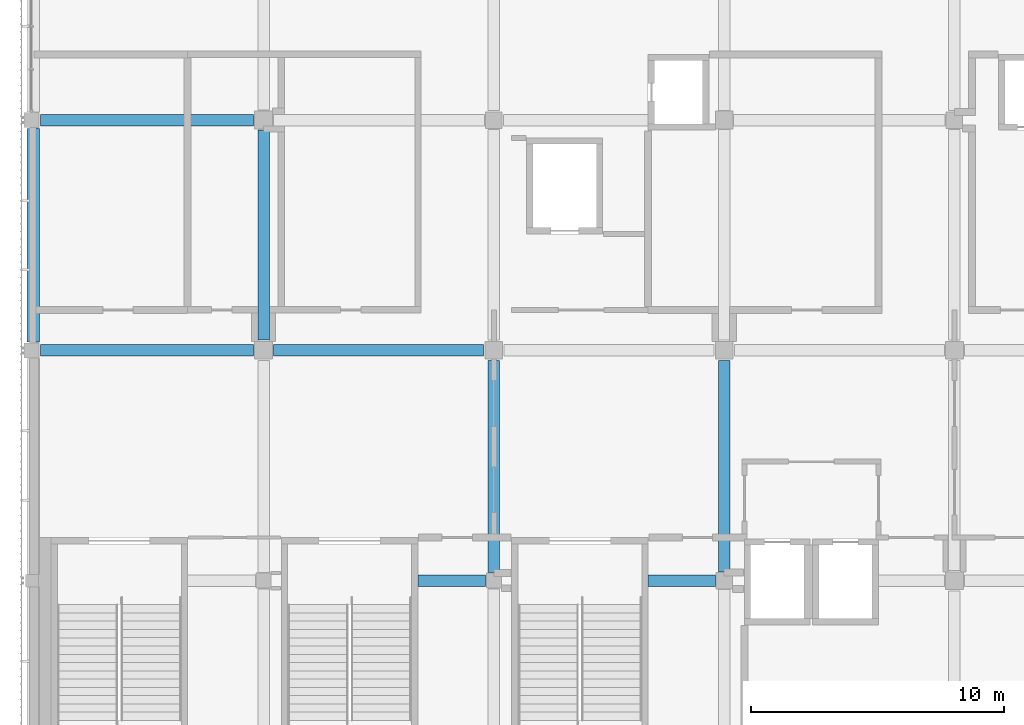
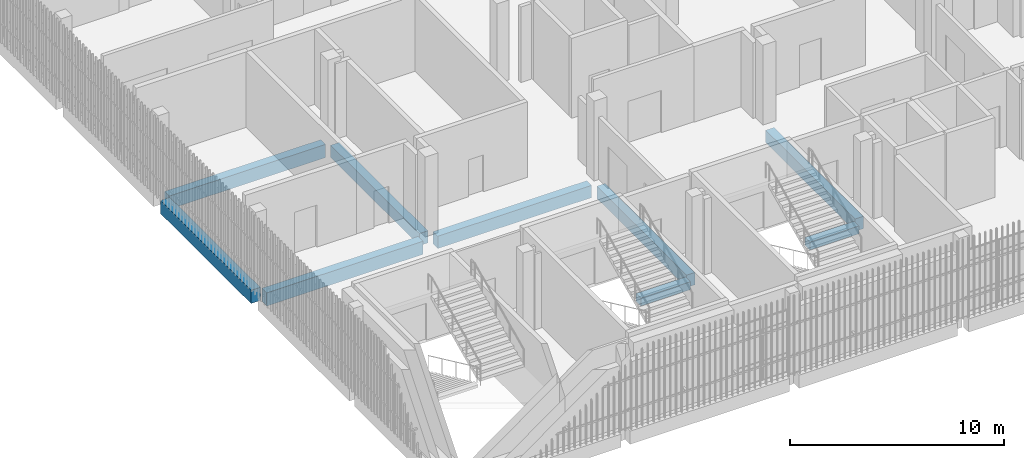
# One storey, part 6 of 139: 9 beams.
"""IFC4 building model written with IfcOpenShell, lengths in metres."""

from ifc_helpers import new_model, si_unit, direction, frame, origin, origin_2d, place, context, subcontext, project, spatial, rectangle, extrude, material, material_profile, profile_set, type_object, element, save


model = new_model("IFC4")

# Units and contexts
model_context = context("Model", 3, precision=1e-05, world=origin(), true_north=direction((0.0, 1.0)))
body_context = subcontext(model_context, "Body", "Model", "MODEL_VIEW")
ifc_project = project(units=[si_unit("LENGTHUNIT", "METRE"), si_unit("AREAUNIT", "SQUARE_METRE"), si_unit("VOLUMEUNIT", "CUBIC_METRE"), si_unit("PLANEANGLEUNIT", "RADIAN"), si_unit("MASSUNIT", "GRAM", prefix="KILO")], contexts=[model_context])

# Site, building, storey
site_placement = place(None, origin())
site = spatial("IfcSite", under=ifc_project, at=site_placement, CompositionType="ELEMENT")
building_placement = place(site_placement, origin())
building = spatial("IfcBuilding", under=site, at=building_placement, Name="Shirokan Park Arena", CompositionType="ELEMENT")
storey_placement = place(building_placement, frame((0.0, 0.0, 15.469970703125)))
storey = spatial("IfcBuildingStorey", under=building, at=storey_placement, Name="L03", CompositionType="ELEMENT", Elevation=15.469970703125)

# Beams
ifc_material = material(Name="Concrete C35", Category="concrete")
ifc_material_profile_1 = material_profile(ifc_material, rectangle(XDim=0.449951171875, YDim=0.699951171875, at=origin_2d()), Name="450x700")
ifc_profile_set_1 = profile_set([ifc_material_profile_1], Name="Concrete C35")
beam_type_1 = type_object("IfcBeamType", Name="RC girder 450x700", PredefinedType="BEAM", material=ifc_profile_set_1)
for number, where, z_axis, x_axis, name in (
    (1, (9.5, 18.199951171875, -0.64990234375), (1.0, 0.0, 0.0), (0.0, 1.0, 0.0), "Girder 2C-3C L03"),
    (2, (9.10009765625, 18.60009765625, -0.64990234375), (0.0, 1.0, 0.0), (-1.0, 0.0, 0.0), "Girder 2C-2D L03"),
):
    element("IfcBeam", number, at=place(storey_placement, frame(where, z_axis=z_axis, x_axis=x_axis)), inside=storey, type_object=beam_type_1, Name=name, PredefinedType="BEAM", context=body_context, shape_type="SweptSolid", body=[
        extrude(rectangle(XDim=0.449951171875, YDim=0.699951171875, at=origin_2d()), origin(), (0.0, 0.0, 1.0), 8.2998046875),
    ])
beam_1_placement = place(storey_placement, frame((18.199951171875, 9.425048828125, -0.64990234375), z_axis=(0.0, 1.0, 0.0), x_axis=(-1.0, 0.0, 0.0)))
element("IfcBeam", 3, at=beam_1_placement, inside=storey, type_object=beam_type_1, Name="Girder 3B-3C L03", PredefinedType="BEAM", context=body_context, shape_type="SweptSolid", body=[
    extrude(rectangle(XDim=0.449951171875, YDim=0.699951171875, at=origin_2d()), origin(), (0.0, 0.0, 1.0), 8.374755859375),
])
beam_2_placement = place(storey_placement, frame((27.300048828125, 9.4501953125, -0.64990234375), z_axis=(0.0, 1.0, 0.0), x_axis=(-1.0, 0.0, 0.0)))
element("IfcBeam", 4, at=beam_2_placement, inside=storey, type_object=beam_type_1, Name="Girder 4B-4C L03", PredefinedType="BEAM", context=body_context, shape_type="SweptSolid", body=[
    extrude(rectangle(XDim=0.449951171875, YDim=0.699951171875, at=origin_2d()), origin(), (0.0, 0.0, 1.0), 8.349609375),
])
ifc_material_profile_2 = material_profile(ifc_material, rectangle(XDim=0.449951171875, YDim=0.75, at=origin_2d()), Name="450x750")
ifc_profile_set_2 = profile_set([ifc_material_profile_2], Name="Concrete C35")
beam_type_2 = type_object("IfcBeamType", Name="RC girder 450x750", PredefinedType="BEAM", material=ifc_profile_set_2)
for number, where, z_axis, x_axis, name in (
    (5, (0.275146484375, 18.199951171875, -0.675048828125), (1.0, 0.0, 0.0), (0.0, 1.0, 0.0), "Girder 1C-2C L03"),
    (6, (0.275146484375, 27.300048828125, -0.675048828125), (1.0, 0.0, 0.0), (0.0, 1.0, 0.0), "Girder 1D-2D L03"),
):
    element("IfcBeam", number, at=place(storey_placement, frame(where, z_axis=z_axis, x_axis=x_axis)), inside=storey, type_object=beam_type_2, Name=name, PredefinedType="BEAM", context=body_context, shape_type="SweptSolid", body=[
        extrude(rectangle(XDim=0.449951171875, YDim=0.75, at=origin_2d()), origin(), (0.0, 0.0, 1.0), 8.4248046875),
    ])
ifc_material_profile_3 = material_profile(ifc_material, rectangle(XDim=0.5, YDim=0.75, at=origin_2d()), Name="500x750")
ifc_profile_set_3 = profile_set([ifc_material_profile_3], Name="Concrete C35")
beam_type_3 = type_object("IfcBeamType", Name="RC girder 500x750", PredefinedType="BEAM", material=ifc_profile_set_3)
beam_3_placement = place(storey_placement, frame((0.0, 18.525146484375, -0.675048828125), z_axis=(0.0, 1.0, 0.0), x_axis=(-1.0, 0.0, 0.0)))
element("IfcBeam", 7, at=beam_3_placement, inside=storey, type_object=beam_type_3, Name="Girder 1C-1D L03", PredefinedType="BEAM", context=body_context, shape_type="SweptSolid", body=[
    extrude(rectangle(XDim=0.5, YDim=0.75, at=origin_2d()), origin(), (0.0, 0.0, 1.0), 8.44970703125),
])
ifc_material_profile_4 = material_profile(ifc_material, rectangle(XDim=0.449951171875, YDim=0.449951171875, at=origin_2d()), Name="450x450")
ifc_profile_set_4 = profile_set([ifc_material_profile_4], Name="Concrete C35")
beam_type_4 = type_object("IfcBeamType", Name="RC trimmer 450x450", PredefinedType="BEAM", material=ifc_profile_set_4)
beam_4_placement = place(storey_placement, frame((15.199951171875, 9.10009765625, -0.52490234375), z_axis=(1.0, 0.0, 0.0), x_axis=(0.0, 1.0, 0.0)))
element("IfcBeam", 8, at=beam_4_placement, inside=storey, type_object=beam_type_4, Name="Girder 2B-3B L03", PredefinedType="BEAM", context=body_context, shape_type="SweptSolid", body=[
    extrude(rectangle(XDim=0.449951171875, YDim=0.449951171875, at=origin_2d()), origin(), (0.0, 0.0, 1.0), 2.675048828125),
])
beam_5_placement = place(storey_placement, frame((24.300048828125, 9.10009765625, -0.52490234375), z_axis=(1.0, 0.0, 0.0), x_axis=(0.0, 1.0, 0.0)))
element("IfcBeam", 9, at=beam_5_placement, inside=storey, type_object=beam_type_4, Name="Girder 3B-4B L03", PredefinedType="BEAM", context=body_context, shape_type="SweptSolid", body=[
    extrude(rectangle(XDim=0.449951171875, YDim=0.449951171875, at=origin_2d()), origin(), (0.0, 0.0, 1.0), 2.64990234375),
])

save(model, "model.ifc")
